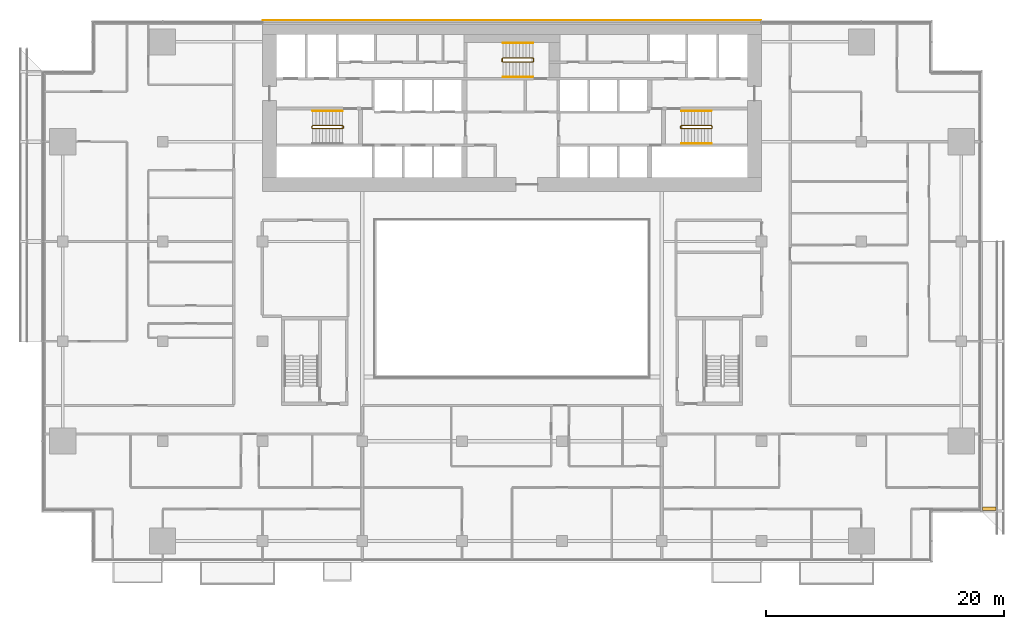
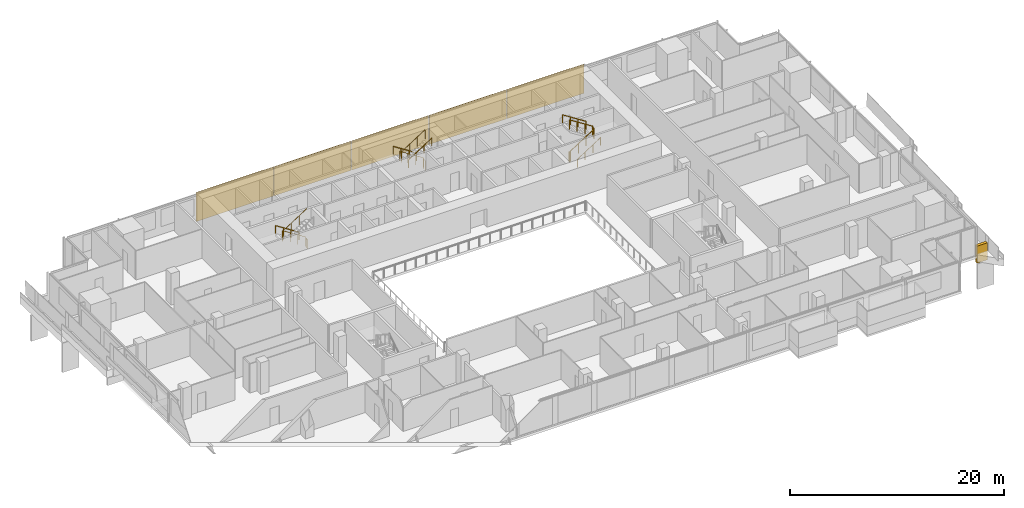
# One storey, part 27 of 28: 8 railings, 6 coverings.
"""IFC4 building model written with IfcOpenShell, lengths in metres."""

import ifcopenshell
import ifcopenshell.guid

model = None  # the IFC model being written
_history = None  # IfcOwnerHistory: only IFC2X3 demands one
_inside = {}  # id of a spatial element -> (the spatial element, [elements in it])
_under = {}  # id of a project, library or spatial element -> (it, [spatial elements below it])
_declared = {}  # id of a project -> (the project, [libraries it declares])
_typed = {}  # id of a type object -> (the type object, [elements of that type])
_made_of = {}  # id of a material, layer set ... -> (it, [elements and type objects made of it])


def new_model(schema):
    """Start an empty IFC model of exactly this schema.

    Asked for "IFC4X3", IfcOpenShell would pick the latest addendum, in which some entities
    have other attributes; the version numbers below select the first issue.
    IFC2X3 requires an IfcOwnerHistory on every rooted entity: one is made here for all.
    """
    global model, _history
    if schema == "IFC4X3":
        model = ifcopenshell.file(schema_version=(4, 3, 0, 0))
    else:
        model = ifcopenshell.file(schema=schema)
    _inside.clear()
    _under.clear()
    _declared.clear()
    _typed.clear()
    _made_of.clear()
    _history = None
    if model.schema == "IFC2X3":
        org = make("IfcOrganization", Name="unknown")
        user = make(
            "IfcPersonAndOrganization",
            ThePerson=make("IfcPerson", FamilyName="unknown"),
            TheOrganization=org,
        )
        app = make(
            "IfcApplication",
            ApplicationDeveloper=org,
            Version="unknown",
            ApplicationFullName="unknown",
            ApplicationIdentifier="unknown",
        )
        _history = make(
            "IfcOwnerHistory",
            OwningUser=user,
            OwningApplication=app,
            ChangeAction="ADDED",
            CreationDate=0,
        )
    return model


def make(cls, **values):
    """One entity of the class cls with the attributes given. An attribute that is None is left unset."""
    return model.create_entity(
        cls, **{name: value for name, value in values.items() if value is not None}
    )


def rooted(cls, **values):
    """An entity with a GlobalId (a new one), such as an element, a storey or a relation."""
    return make(cls, GlobalId=ifcopenshell.guid.new(), OwnerHistory=_history, **values)


def si_unit(unit_type, name, prefix=None):
    """IfcSIUnit, for example si_unit("LENGTHUNIT", "METRE", prefix="MILLI")."""
    return make("IfcSIUnit", UnitType=unit_type, Prefix=prefix, Name=name)


def assignment(units):
    """IfcUnitAssignment: the units of a project."""
    return None if units is None else make("IfcUnitAssignment", Units=units)


def point(xyz):
    """IfcCartesianPoint."""
    return None if xyz is None else make("IfcCartesianPoint", Coordinates=xyz)


def direction(xyz):
    """IfcDirection."""
    return None if xyz is None else make("IfcDirection", DirectionRatios=xyz)


def frame(location, z_axis=None, x_axis=None):
    """IfcAxis2Placement3D, a coordinate frame: its origin and axes. An axis left out is left unset."""
    return make(
        "IfcAxis2Placement3D",
        Location=point(location),
        Axis=direction(z_axis),
        RefDirection=direction(x_axis),
    )


def frame_2d(location, x_axis=None):
    """IfcAxis2Placement2D, a coordinate frame in the plane: its origin and x axis."""
    return make(
        "IfcAxis2Placement2D", Location=point(location), RefDirection=direction(x_axis)
    )


def origin():
    """The frame at (0, 0, 0) with its axes left unset."""
    return frame((0.0, 0.0, 0.0))


def origin_2d():
    """The frame at (0, 0) in the plane with its x axis left unset."""
    return frame_2d((0.0, 0.0))


def place(relative_to, where):
    """IfcLocalPlacement: puts the frame where relative to a parent placement (None: the world)."""
    return make(
        "IfcLocalPlacement", PlacementRelTo=relative_to, RelativePlacement=where
    )


def context(
    kind, dimensions, precision=None, world=None, true_north=None, identifier=None
):
    """IfcGeometricRepresentationContext, for example the 3D "Model" context."""
    return make(
        "IfcGeometricRepresentationContext",
        ContextIdentifier=identifier,
        ContextType=kind,
        CoordinateSpaceDimension=dimensions,
        Precision=precision,
        WorldCoordinateSystem=world,
        TrueNorth=true_north,
    )


def subcontext(parent, identifier, kind, view, scale=None):
    """IfcGeometricRepresentationSubContext, for example "Body" below "Model"."""
    return make(
        "IfcGeometricRepresentationSubContext",
        ContextIdentifier=identifier,
        ContextType=kind,
        ParentContext=parent,
        TargetScale=scale,
        TargetView=view,
    )


def project(units=None, contexts=None):
    """IfcProject with its units and contexts."""
    return rooted(
        "IfcProject",
        Name="project",
        RepresentationContexts=contexts,
        UnitsInContext=assignment(units),
    )


def spatial(cls, under=None, at=None, **own):
    """A site, building, storey or space (cls), placed at a placement, below another one or the project."""
    s = rooted(cls, ObjectPlacement=at, **own)
    if under is not None:
        _under.setdefault(under.id(), (under, []))[1].append(s)
    return s


def polyline(points):
    """IfcPolyline through the points."""
    return make("IfcPolyline", Points=[point(p) for p in points])


def profile(cls, at=None, kind="AREA", **sizes):
    """A parametric profile (cls). Its sizes go by their IFC names, for example OverallWidth=200.0."""
    return make(cls, ProfileType=kind, Position=at, **sizes)


def rectangle(**sizes):
    """IfcRectangleProfileDef."""
    return profile("IfcRectangleProfileDef", **sizes)


def circle(**sizes):
    """IfcCircleProfileDef."""
    return profile("IfcCircleProfileDef", **sizes)


def outline(outer, holes=None, kind="AREA"):
    """IfcArbitraryClosedProfileDef: a profile drawn as a closed curve; with holes, ...WithVoids."""
    if holes is None:
        return make("IfcArbitraryClosedProfileDef", ProfileType=kind, OuterCurve=outer)
    return make(
        "IfcArbitraryProfileDefWithVoids",
        ProfileType=kind,
        OuterCurve=outer,
        InnerCurves=holes,
    )


def extrude(swept, where, along, depth):
    """IfcExtrudedAreaSolid: the profile swept, set in the frame where, extruded along a direction by depth."""
    return make(
        "IfcExtrudedAreaSolid",
        SweptArea=swept,
        Position=where,
        ExtrudedDirection=direction(along),
        Depth=depth,
    )


def shape(context_of_items, identifier, shape_type, items):
    """IfcShapeRepresentation: the items that make up one representation, for example the "Body"."""
    return make(
        "IfcShapeRepresentation",
        ContextOfItems=context_of_items,
        RepresentationIdentifier=identifier,
        RepresentationType=shape_type,
        Items=items,
    )


def material(Name=None, Category=None):
    """IfcMaterial."""
    return make("IfcMaterial", Name=Name, Category=Category)


def layer(
    of_material, thickness, ventilated=None, Name=None, Category=None, Priority=None
):
    """IfcMaterialLayer: one layer of a wall or slab, of a material (None: an air gap)."""
    return make(
        "IfcMaterialLayer",
        Material=of_material,
        LayerThickness=thickness,
        IsVentilated=ventilated,
        Name=Name,
        Category=Category,
        Priority=Priority,
    )


def layer_set(layers, Name=None):
    """IfcMaterialLayerSet."""
    return make("IfcMaterialLayerSet", MaterialLayers=layers, LayerSetName=Name)


def made_of(thing, what):
    """Note that an element or type object is made of a material, layer set ...; save() writes the relation."""
    if what is not None:
        _made_of.setdefault(what.id(), (what, []))[1].append(thing)
    return thing


def type_object(cls, material=None, **own):
    """A type object (cls), such as IfcWallType, which elements share."""
    return made_of(rooted(cls, **own), material)


def element(
    cls,
    number,
    at=None,
    inside=None,
    cuts=None,
    type_object=None,
    material=None,
    context=None,
    identifier="Body",
    shape_type=None,
    held_by="IfcProductDefinitionShape",
    body=None,
    shapes=None,
    **own,
):
    """One element of the class cls, such as IfcWall. Its Tag is "e" and its number.

    at: its placement. inside: the storey or other place that contains it. cuts: it is an
    opening in that element (IfcRelVoidsElement). A single representation is given by context,
    identifier, shape_type and body (its items); several are given by shapes. held_by: the class
    of the entity that holds the representations. save() writes the other relations.
    """
    e = rooted(cls, Tag="e%d" % number, ObjectPlacement=at, **own)
    if body is not None:
        shapes = [shape(context, identifier, shape_type, body)]
    if shapes is not None:
        e.Representation = make(held_by, Representations=shapes)
    if inside is not None:
        _inside.setdefault(inside.id(), (inside, []))[1].append(e)
    if cuts is not None:
        rooted(
            "IfcRelVoidsElement", RelatingBuildingElement=cuts, RelatedOpeningElement=e
        )
    if type_object is not None:
        _typed.setdefault(type_object.id(), (type_object, []))[1].append(e)
    return made_of(e, material)


def aggregate(whole, parts):
    """IfcRelAggregates: a whole, such as a stair, and the parts it consists of."""
    return rooted("IfcRelAggregates", RelatingObject=whole, RelatedObjects=parts)


def save(model, path):
    """Write the relations noted so far, then the file.

    IfcRelAggregates (storeys below a building ...), IfcRelContainedInSpatialStructure (elements
    in a storey), IfcRelDefinesByType, IfcRelAssociatesMaterial and IfcRelDeclares: one each for
    every whole, place, type object, material and project.
    """
    for whole, parts in _under.values():
        aggregate(whole, parts)
    for where, things in _inside.values():
        rooted(
            "IfcRelContainedInSpatialStructure",
            RelatedElements=things,
            RelatingStructure=where,
        )
    for kind, things in _typed.values():
        rooted("IfcRelDefinesByType", RelatedObjects=things, RelatingType=kind)
    for what, things in _made_of.values():
        rooted("IfcRelAssociatesMaterial", RelatedObjects=things, RelatingMaterial=what)
    for by, libraries in _declared.values():
        rooted("IfcRelDeclares", RelatingContext=by, RelatedDefinitions=libraries)
    model.write(path)


model = new_model("IFC4")

# Units and contexts
model_context = context("Model", 3, precision=1e-05, world=origin(), true_north=direction((0.0, 1.0)))
body_context = subcontext(model_context, "Body", "Model", "MODEL_VIEW")
ifc_project = project(units=[si_unit("LENGTHUNIT", "METRE"), si_unit("AREAUNIT", "SQUARE_METRE"), si_unit("VOLUMEUNIT", "CUBIC_METRE"), si_unit("PLANEANGLEUNIT", "RADIAN"), si_unit("MASSUNIT", "GRAM", prefix="KILO")], contexts=[model_context])

# Site, building, storey
site_placement = place(None, origin())
site = spatial("IfcSite", under=ifc_project, at=site_placement, CompositionType="ELEMENT")
building_placement = place(site_placement, origin())
building = spatial("IfcBuilding", under=site, at=building_placement, Name="Saffron Gate Tower", CompositionType="ELEMENT")
storey_placement = place(building_placement, frame((0.0, 0.0, 51.60009765625)))
storey = spatial("IfcBuildingStorey", under=building, at=storey_placement, Name="L11", CompositionType="ELEMENT", Elevation=51.60009765625)

# Coverings
ifc_material_1 = material(Name="Ceramic-printed bronze insulated panel")
ifc_layer_1 = layer(ifc_material_1, 0.0400390625)
ifc_layer_set_1 = layer_set([ifc_layer_1], Name="CLD1 ceramic-printed cladding panel 40")
covering_type_1 = type_object("IfcCoveringType", Name="CLD1 ceramic-printed cladding panel 40", PredefinedType="CLADDING", material=ifc_layer_set_1)
covering_1_placement = place(storey_placement, origin())
element("IfcCovering", 1, at=covering_1_placement, inside=storey, type_object=covering_type_1, Name="CLADDING ceramic-printed panel", PredefinedType="CLADDING", context=body_context, shape_type="SweptSolid", body=[
    extrude(outline(polyline([(108.56494140625, 75.639892578125), (100.235107421875, 75.639892578125), (100.235107421875, 75.60009765625), (108.56494140625, 75.60009765625), (108.56494140625, 75.639892578125)])), origin(), (0.0, 0.0, 1.0), 3.31982421875),
])
covering_2_placement = place(storey_placement, origin())
element("IfcCovering", 2, at=covering_2_placement, inside=storey, type_object=covering_type_1, Name="CLADDING ceramic-printed panel", PredefinedType="CLADDING", context=body_context, shape_type="SweptSolid", body=[
    extrude(outline(polyline([(100.1650390625, 75.639892578125), (91.8349609375, 75.639892578125), (91.8349609375, 75.60009765625), (100.1650390625, 75.60009765625), (100.1650390625, 75.639892578125)])), origin(), (0.0, 0.0, 1.0), 3.31982421875),
])
covering_3_placement = place(storey_placement, origin())
element("IfcCovering", 3, at=covering_3_placement, inside=storey, type_object=covering_type_1, Name="CLADDING ceramic-printed panel", PredefinedType="CLADDING", context=body_context, shape_type="SweptSolid", body=[
    extrude(outline(polyline([(91.764892578125, 75.639892578125), (83.43505859375, 75.639892578125), (83.43505859375, 75.60009765625), (91.764892578125, 75.60009765625), (91.764892578125, 75.639892578125)])), origin(), (0.0, 0.0, 1.0), 3.31982421875),
])
covering_4_placement = place(storey_placement, origin())
element("IfcCovering", 4, at=covering_4_placement, inside=storey, type_object=covering_type_1, Name="CLADDING ceramic-printed panel", PredefinedType="CLADDING", context=body_context, shape_type="SweptSolid", body=[
    extrude(outline(polyline([(83.364990234375, 75.639892578125), (75.034912109375, 75.639892578125), (75.034912109375, 75.60009765625), (83.364990234375, 75.60009765625), (83.364990234375, 75.639892578125)])), origin(), (0.0, 0.0, 1.0), 3.31982421875),
])
covering_5_placement = place(storey_placement, origin())
element("IfcCovering", 5, at=covering_5_placement, inside=storey, type_object=covering_type_1, Name="CLADDING ceramic-printed panel", PredefinedType="CLADDING", context=body_context, shape_type="SweptSolid", body=[
    extrude(outline(polyline([(74.965087890625, 75.639892578125), (66.635009765625, 75.639892578125), (66.635009765625, 75.60009765625), (74.965087890625, 75.60009765625), (74.965087890625, 75.639892578125)])), origin(), (0.0, 0.0, 1.0), 3.31982421875),
])

# Railings
ifc_material_2 = material(Name="Stainless steel and laminated glass", Category="steel")
railing_type_1 = type_object("IfcRailingType", Name="CR1 Stair guard 1100", PredefinedType="GUARDRAIL", material=ifc_material_2)
railing_1_placement = place(storey_placement, frame((73.39990234375, 66.550048828125, 0.0)))
element("IfcRailing", 6, at=railing_1_placement, inside=storey, type_object=railing_type_1, Name="L11 ST-A stair guard 1", PredefinedType="GUARDRAIL", context=body_context, shape_type="SweptSolid", body=[
    extrude(circle(Radius=0.02392578125, at=origin_2d()), frame((0.0, 0.0, 1.076171875), z_axis=(0.0, 1.0, 0.0), x_axis=(-1.0, 0.0, 0.0)), (0.0, 0.0, 1.0), 0.14990234375),
    extrude(circle(Radius=0.02392578125, at=origin_2d()), frame((0.0, 0.14990234375, 1.076171875), z_axis=(-0.257669022063, 0.258932105505, 0.930892496375), x_axis=(-0.708833529934, -0.705375805398, 0.0)), (0.0, 0.0, 1.0), 0.193359375),
    extrude(circle(Radius=0.02392578125, at=origin_2d()), frame((-0.0498046875, 0.199951171875, 1.255859375), z_axis=(-0.841199657755, 0.0, 0.540724639528), x_axis=(0.0, -1.0, 0.0)), (0.0, 0.0, 1.0), 2.995849609375),
    extrude(circle(Radius=0.02392578125, at=origin_2d()), frame((-2.56982421875, 0.199951171875, 2.8759765625), z_axis=(-0.707106781187, -0.707106781187, 0.0), x_axis=(0.707106781187, -0.707106781187, 0.0)), (0.0, 0.0, 1.0), 0.07080078125),
    extrude(circle(Radius=0.02392578125, at=origin_2d()), frame((-2.619873046875, 0.14990234375, 2.8759765625), z_axis=(0.0, -1.0, 0.0), x_axis=(1.0, 0.0, 0.0)), (0.0, 0.0, 1.0), 0.14990234375),
    extrude(circle(Radius=0.02392578125, at=origin_2d()), frame((-2.619873046875, 0.0, 2.8759765625), z_axis=(0.258543844998, -0.258543844998, 0.930757841991), x_axis=(0.707106781187, 0.707106781187, 0.0)), (0.0, 0.0, 1.0), 0.193603515625),
    extrude(circle(Radius=0.02392578125, at=origin_2d()), frame((-2.56982421875, -0.050048828125, 3.05615234375), z_axis=(0.841199657755, 0.0, 0.540724639528), x_axis=(0.0, 1.0, 0.0)), (0.0, 0.0, 1.0), 2.995849609375),
    extrude(circle(Radius=0.02099609375, at=origin_2d()), origin(), (0.0, 0.0, 1.0), 1.052001953125),
    extrude(circle(Radius=0.02099609375, at=origin_2d()), frame((0.0, 0.14990234375, 0.0)), (0.0, 0.0, 1.0), 1.052001953125),
    extrude(circle(Radius=0.02099609375, at=origin_2d()), frame((-0.0498046875, 0.199951171875, 0.179931640625)), (0.0, 0.0, 1.0), 1.052001953125),
    extrude(circle(Radius=0.02099609375, at=origin_2d()), frame((-0.889892578125, 0.199951171875, 0.719970703125)), (0.0, 0.0, 1.0), 1.052001953125),
    extrude(circle(Radius=0.02099609375, at=origin_2d()), frame((-1.729736328125, 0.199951171875, 1.259765625)), (0.0, 0.0, 1.0), 1.052001953125),
    extrude(circle(Radius=0.02099609375, at=origin_2d()), frame((-2.56982421875, 0.199951171875, 1.7998046875)), (0.0, 0.0, 1.0), 1.052001953125),
    extrude(circle(Radius=0.02099609375, at=origin_2d()), frame((-2.619873046875, 0.14990234375, 1.7998046875)), (0.0, 0.0, 1.0), 1.052001953125),
    extrude(circle(Radius=0.02099609375, at=origin_2d()), frame((-2.619873046875, 0.0, 1.7998046875)), (0.0, 0.0, 1.0), 1.052001953125),
    extrude(circle(Radius=0.02099609375, at=origin_2d()), frame((-2.56982421875, -0.050048828125, 1.97998046875)), (0.0, 0.0, 1.0), 1.052001953125),
    extrude(circle(Radius=0.02099609375, at=origin_2d()), frame((-1.729736328125, -0.050048828125, 2.52001953125)), (0.0, 0.0, 1.0), 1.052001953125),
    extrude(circle(Radius=0.02099609375, at=origin_2d()), frame((-0.889892578125, -0.050048828125, 3.059814453125)), (0.0, 0.0, 1.0), 1.052001953125),
    extrude(circle(Radius=0.02099609375, at=origin_2d()), frame((-0.0498046875, -0.050048828125, 3.599853515625)), (0.0, 0.0, 1.0), 1.052001953125),
])
railing_2_placement = place(storey_placement, frame((101.800048828125, 66.699951171875, 0.0)))
element("IfcRailing", 7, at=railing_2_placement, inside=storey, type_object=railing_type_1, Name="L11 ST-B stair guard 1", PredefinedType="GUARDRAIL", context=body_context, shape_type="SweptSolid", body=[
    extrude(circle(Radius=0.02392578125, at=origin_2d()), frame((0.0, 0.0, 1.076171875), z_axis=(0.0, -1.0, 0.0), x_axis=(1.0, 0.0, 0.0)), (0.0, 0.0, 1.0), 0.14990234375),
    extrude(circle(Radius=0.02392578125, at=origin_2d()), frame((0.0, -0.14990234375, 1.076171875), z_axis=(0.258847668887, -0.258847668887, 0.930588936439), x_axis=(0.707106781187, 0.707106781187, 0.0)), (0.0, 0.0, 1.0), 0.193359375),
    extrude(circle(Radius=0.02392578125, at=origin_2d()), frame((0.050048828125, -0.199951171875, 1.255859375), z_axis=(0.841199657755, 0.0, 0.540724639528), x_axis=(0.0, 1.0, 0.0)), (0.0, 0.0, 1.0), 2.995849609375),
    extrude(circle(Radius=0.02392578125, at=origin_2d()), frame((2.570068359375, -0.199951171875, 2.8759765625), z_axis=(0.705375805398, 0.708833529934, 0.0), x_axis=(-0.708833529934, 0.705375805398, 0.0)), (0.0, 0.0, 1.0), 0.070556640625),
    extrude(circle(Radius=0.02392578125, at=origin_2d()), frame((2.619873046875, -0.14990234375, 2.8759765625), z_axis=(0.0, 1.0, 0.0), x_axis=(-1.0, 0.0, 0.0)), (0.0, 0.0, 1.0), 0.14990234375),
    extrude(circle(Radius=0.02392578125, at=origin_2d()), frame((2.619873046875, 0.0, 2.8759765625), z_axis=(-0.257366384619, 0.258627984543, 0.931060744355), x_axis=(-0.708833529934, -0.705375805398, 0.0)), (0.0, 0.0, 1.0), 0.193603515625),
    extrude(circle(Radius=0.02392578125, at=origin_2d()), frame((2.570068359375, 0.050048828125, 3.05615234375), z_axis=(-0.841199657755, 0.0, 0.540724639528), x_axis=(0.0, -1.0, 0.0)), (0.0, 0.0, 1.0), 2.995849609375),
    extrude(circle(Radius=0.02099609375, at=origin_2d()), origin(), (0.0, 0.0, 1.0), 1.052001953125),
    extrude(circle(Radius=0.02099609375, at=origin_2d()), frame((0.0, -0.14990234375, 0.0)), (0.0, 0.0, 1.0), 1.052001953125),
    extrude(circle(Radius=0.02099609375, at=origin_2d()), frame((0.050048828125, -0.199951171875, 0.179931640625)), (0.0, 0.0, 1.0), 1.052001953125),
    extrude(circle(Radius=0.02099609375, at=origin_2d()), frame((0.89013671875, -0.199951171875, 0.719970703125)), (0.0, 0.0, 1.0), 1.052001953125),
    extrude(circle(Radius=0.02099609375, at=origin_2d()), frame((1.72998046875, -0.199951171875, 1.259765625)), (0.0, 0.0, 1.0), 1.052001953125),
    extrude(circle(Radius=0.02099609375, at=origin_2d()), frame((2.570068359375, -0.199951171875, 1.7998046875)), (0.0, 0.0, 1.0), 1.052001953125),
    extrude(circle(Radius=0.02099609375, at=origin_2d()), frame((2.619873046875, -0.14990234375, 1.7998046875)), (0.0, 0.0, 1.0), 1.052001953125),
    extrude(circle(Radius=0.02099609375, at=origin_2d()), frame((2.619873046875, 0.0, 1.7998046875)), (0.0, 0.0, 1.0), 1.052001953125),
    extrude(circle(Radius=0.02099609375, at=origin_2d()), frame((2.570068359375, 0.050048828125, 1.97998046875)), (0.0, 0.0, 1.0), 1.052001953125),
    extrude(circle(Radius=0.02099609375, at=origin_2d()), frame((1.72998046875, 0.050048828125, 2.52001953125)), (0.0, 0.0, 1.0), 1.052001953125),
    extrude(circle(Radius=0.02099609375, at=origin_2d()), frame((0.89013671875, 0.050048828125, 3.059814453125)), (0.0, 0.0, 1.0), 1.052001953125),
    extrude(circle(Radius=0.02099609375, at=origin_2d()), frame((0.050048828125, 0.050048828125, 3.599853515625)), (0.0, 0.0, 1.0), 1.052001953125),
])
railing_3_placement = place(storey_placement, frame((89.39990234375, 72.14990234375, 0.0)))
element("IfcRailing", 8, at=railing_3_placement, inside=storey, type_object=railing_type_1, Name="L11 ST-C stair guard 1", PredefinedType="GUARDRAIL", context=body_context, shape_type="SweptSolid", body=[
    extrude(circle(Radius=0.02392578125, at=origin_2d()), frame((0.0, 0.0, 1.076171875), z_axis=(0.0, 1.0, 0.0), x_axis=(-1.0, 0.0, 0.0)), (0.0, 0.0, 1.0), 0.25),
    extrude(circle(Radius=0.02392578125, at=origin_2d()), frame((0.0, 0.25, 1.076171875), z_axis=(-0.257669022063, 0.258932105505, 0.930892496375), x_axis=(-0.708833529934, -0.705375805398, 0.0)), (0.0, 0.0, 1.0), 0.193359375),
    extrude(circle(Radius=0.02392578125, at=origin_2d()), frame((-0.0498046875, 0.300048828125, 1.255859375), z_axis=(-0.841199657755, 0.0, 0.540724639528), x_axis=(0.0, -1.0, 0.0)), (0.0, 0.0, 1.0), 2.995849609375),
    extrude(circle(Radius=0.02392578125, at=origin_2d()), frame((-2.56982421875, 0.300048828125, 2.8759765625), z_axis=(-0.707106781187, -0.707106781187, 0.0), x_axis=(0.707106781187, -0.707106781187, 0.0)), (0.0, 0.0, 1.0), 0.07080078125),
    extrude(circle(Radius=0.02392578125, at=origin_2d()), frame((-2.619873046875, 0.25, 2.8759765625), z_axis=(0.0, -1.0, 0.0), x_axis=(1.0, 0.0, 0.0)), (0.0, 0.0, 1.0), 0.25),
    extrude(circle(Radius=0.02392578125, at=origin_2d()), frame((-2.619873046875, 0.0, 2.8759765625), z_axis=(0.258627984543, -0.257366384619, 0.931060744355), x_axis=(0.705375805398, 0.708833529934, 0.0)), (0.0, 0.0, 1.0), 0.193603515625),
    extrude(circle(Radius=0.02392578125, at=origin_2d()), frame((-2.56982421875, -0.0498046875, 3.05615234375), z_axis=(0.841199657755, 0.0, 0.540724639528), x_axis=(0.0, 1.0, 0.0)), (0.0, 0.0, 1.0), 2.995849609375),
    extrude(circle(Radius=0.02099609375, at=origin_2d()), origin(), (0.0, 0.0, 1.0), 1.052001953125),
    extrude(circle(Radius=0.02099609375, at=origin_2d()), frame((0.0, 0.25, 0.0)), (0.0, 0.0, 1.0), 1.052001953125),
    extrude(circle(Radius=0.02099609375, at=origin_2d()), frame((-0.0498046875, 0.300048828125, 0.179931640625)), (0.0, 0.0, 1.0), 1.052001953125),
    extrude(circle(Radius=0.02099609375, at=origin_2d()), frame((-0.889892578125, 0.300048828125, 0.719970703125)), (0.0, 0.0, 1.0), 1.052001953125),
    extrude(circle(Radius=0.02099609375, at=origin_2d()), frame((-1.729736328125, 0.300048828125, 1.259765625)), (0.0, 0.0, 1.0), 1.052001953125),
    extrude(circle(Radius=0.02099609375, at=origin_2d()), frame((-2.56982421875, 0.300048828125, 1.7998046875)), (0.0, 0.0, 1.0), 1.052001953125),
    extrude(circle(Radius=0.02099609375, at=origin_2d()), frame((-2.619873046875, 0.25, 1.7998046875)), (0.0, 0.0, 1.0), 1.052001953125),
    extrude(circle(Radius=0.02099609375, at=origin_2d()), frame((-2.619873046875, 0.0, 1.7998046875)), (0.0, 0.0, 1.0), 1.052001953125),
    extrude(circle(Radius=0.02099609375, at=origin_2d()), frame((-2.56982421875, -0.0498046875, 1.97998046875)), (0.0, 0.0, 1.0), 1.052001953125),
    extrude(circle(Radius=0.02099609375, at=origin_2d()), frame((-1.729736328125, -0.0498046875, 2.52001953125)), (0.0, 0.0, 1.0), 1.052001953125),
    extrude(circle(Radius=0.02099609375, at=origin_2d()), frame((-0.889892578125, -0.0498046875, 3.059814453125)), (0.0, 0.0, 1.0), 1.052001953125),
    extrude(circle(Radius=0.02099609375, at=origin_2d()), frame((-0.0498046875, -0.0498046875, 3.599853515625)), (0.0, 0.0, 1.0), 1.052001953125),
])
ifc_material_3 = material(Name="Stainless steel", Category="steel")
railing_type_2 = type_object("IfcRailingType", Name="CR2 Stair handrail 900", PredefinedType="HANDRAIL", material=ifc_material_3)
railing_4_placement = place(storey_placement, frame((73.35009765625, 68.0, 0.179931640625)))
element("IfcRailing", 9, at=railing_4_placement, inside=storey, type_object=railing_type_2, Name="L11 ST-A stair handrail 1", PredefinedType="HANDRAIL", context=body_context, shape_type="SweptSolid", body=[
    extrude(circle(Radius=0.02392578125, at=origin_2d()), frame((0.0, 0.0, 0.8759765625), z_axis=(-0.841199657755, 0.0, 0.540724639528), x_axis=(0.0, -1.0, 0.0)), (0.0, 0.0, 1.0), 2.995849609375),
    extrude(circle(Radius=0.02099609375, at=origin_2d()), origin(), (0.0, 0.0, 1.0), 0.851806640625),
    extrude(circle(Radius=0.02099609375, at=origin_2d()), frame((-0.840087890625, 0.0, 0.5400390625)), (0.0, 0.0, 1.0), 0.851806640625),
    extrude(circle(Radius=0.02099609375, at=origin_2d()), frame((-1.679931640625, 0.0, 1.079833984375)), (0.0, 0.0, 1.0), 0.851806640625),
    extrude(circle(Radius=0.02099609375, at=origin_2d()), frame((-2.52001953125, 0.0, 1.619873046875)), (0.0, 0.0, 1.0), 0.851806640625),
])
railing_5_placement = place(storey_placement, frame((101.85009765625, 65.25, 0.179931640625)))
element("IfcRailing", 10, at=railing_5_placement, inside=storey, type_object=railing_type_2, Name="L11 ST-B stair handrail 1", PredefinedType="HANDRAIL", context=body_context, shape_type="SweptSolid", body=[
    extrude(circle(Radius=0.02392578125, at=origin_2d()), frame((0.0, 0.0, 0.8759765625), z_axis=(0.841199657755, 0.0, 0.540724639528), x_axis=(0.0, 1.0, 0.0)), (0.0, 0.0, 1.0), 2.995849609375),
    extrude(circle(Radius=0.02099609375, at=origin_2d()), origin(), (0.0, 0.0, 1.0), 0.851806640625),
    extrude(circle(Radius=0.02099609375, at=origin_2d()), frame((0.840087890625, 0.0, 0.5400390625)), (0.0, 0.0, 1.0), 0.851806640625),
    extrude(circle(Radius=0.02099609375, at=origin_2d()), frame((1.679931640625, 0.0, 1.079833984375)), (0.0, 0.0, 1.0), 0.851806640625),
    extrude(circle(Radius=0.02099609375, at=origin_2d()), frame((2.52001953125, 0.0, 1.619873046875)), (0.0, 0.0, 1.0), 0.851806640625),
])
for number, where, name in (
    (11, (104.3701171875, 68.0, 1.97998046875), "L11 ST-B stair handrail 2"),
    (12, (89.35009765625, 73.699951171875, 0.179931640625), "L11 ST-C stair handrail 1"),
):
    element("IfcRailing", number, at=place(storey_placement, frame(where)), inside=storey, type_object=railing_type_2, Name=name, PredefinedType="HANDRAIL", context=body_context, shape_type="SweptSolid", body=[
        extrude(circle(Radius=0.02392578125, at=origin_2d()), frame((0.0, 0.0, 0.8759765625), z_axis=(-0.841199657755, 0.0, 0.540724639528), x_axis=(0.0, -1.0, 0.0)), (0.0, 0.0, 1.0), 2.995849609375),
        extrude(circle(Radius=0.02099609375, at=origin_2d()), origin(), (0.0, 0.0, 1.0), 0.851806640625),
        extrude(circle(Radius=0.02099609375, at=origin_2d()), frame((-0.840087890625, 0.0, 0.5400390625)), (0.0, 0.0, 1.0), 0.851806640625),
        extrude(circle(Radius=0.02099609375, at=origin_2d()), frame((-1.679931640625, 0.0, 1.079833984375)), (0.0, 0.0, 1.0), 0.851806640625),
        extrude(circle(Radius=0.02099609375, at=origin_2d()), frame((-2.52001953125, 0.0, 1.619873046875)), (0.0, 0.0, 1.0), 0.851806640625),
    ])
railing_6_placement = place(storey_placement, frame((86.830078125, 70.85009765625, 1.97998046875)))
element("IfcRailing", 13, at=railing_6_placement, inside=storey, type_object=railing_type_2, Name="L11 ST-C stair handrail 2", PredefinedType="HANDRAIL", context=body_context, shape_type="SweptSolid", body=[
    extrude(circle(Radius=0.02392578125, at=origin_2d()), frame((0.0, 0.0, 0.8759765625), z_axis=(0.841199657755, 0.0, 0.540724639528), x_axis=(0.0, 1.0, 0.0)), (0.0, 0.0, 1.0), 2.995849609375),
    extrude(circle(Radius=0.02099609375, at=origin_2d()), origin(), (0.0, 0.0, 1.0), 0.851806640625),
    extrude(circle(Radius=0.02099609375, at=origin_2d()), frame((0.840087890625, 0.0, 0.5400390625)), (0.0, 0.0, 1.0), 0.851806640625),
    extrude(circle(Radius=0.02099609375, at=origin_2d()), frame((1.679931640625, 0.0, 1.079833984375)), (0.0, 0.0, 1.0), 0.851806640625),
    extrude(circle(Radius=0.02099609375, at=origin_2d()), frame((2.52001953125, 0.0, 1.619873046875)), (0.0, 0.0, 1.0), 0.851806640625),
])

# Covering
ifc_material_4 = material(Name="Timber, thermally modified ash", Category="wood")
ifc_layer_2 = layer(ifc_material_4, 0.300048828125)
ifc_layer_set_2 = layer_set([ifc_layer_2], Name="LD3 ledge riser fin")
covering_type_2 = type_object("IfcCoveringType", Name="LD3 ledge riser fin", PredefinedType="CLADDING", material=ifc_layer_set_2)
covering_6_placement = place(storey_placement, frame((127.760009765625, 34.5, -0.9580078125), z_axis=(0.0, 0.0, 1.0), x_axis=(0.0, 1.0, 0.0)))
element("IfcCovering", 14, at=covering_6_placement, inside=storey, type_object=covering_type_2, Name="LEDGE riser fin", PredefinedType="CLADDING", context=body_context, shape_type="SweptSolid", body=[
    extrude(rectangle(XDim=0.300048828125, YDim=1.1201171875, at=origin_2d()), origin(), (0.0, 0.0, 1.0), 1.957275390625),
])

save(model, "model.ifc")
